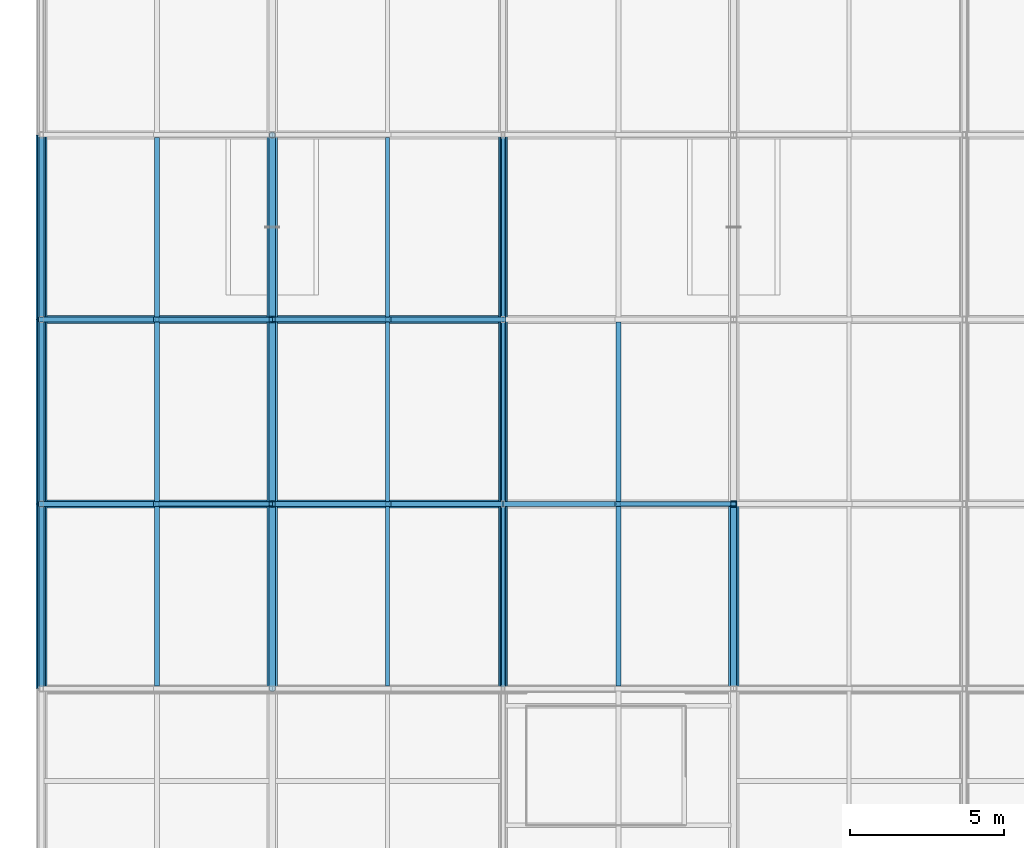
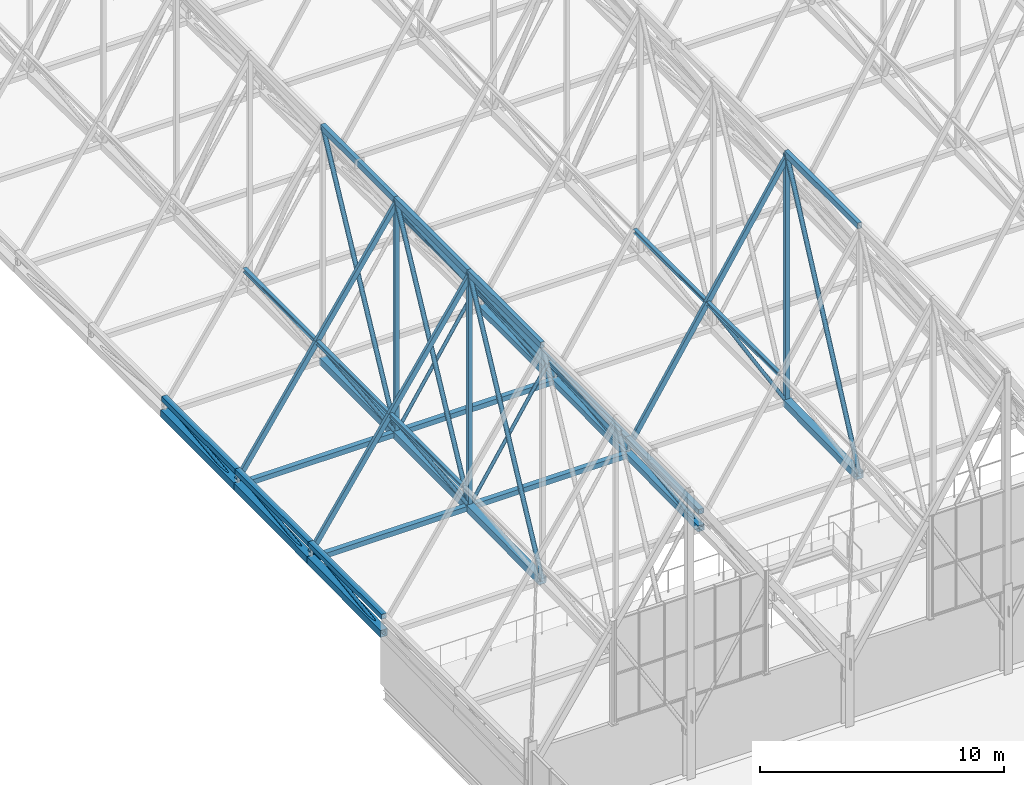
# One storey, part 91 of 324: 50 members, 8 beams.
"""IFC4 building model written with IfcOpenShell, lengths in metres."""

import ifcopenshell
import ifcopenshell.guid

model = None  # the IFC model being written
_history = None  # IfcOwnerHistory: only IFC2X3 demands one
_inside = {}  # id of a spatial element -> (the spatial element, [elements in it])
_under = {}  # id of a project, library or spatial element -> (it, [spatial elements below it])
_declared = {}  # id of a project -> (the project, [libraries it declares])
_typed = {}  # id of a type object -> (the type object, [elements of that type])
_made_of = {}  # id of a material, layer set ... -> (it, [elements and type objects made of it])


def new_model(schema):
    """Start an empty IFC model of exactly this schema.

    Asked for "IFC4X3", IfcOpenShell would pick the latest addendum, in which some entities
    have other attributes; the version numbers below select the first issue.
    IFC2X3 requires an IfcOwnerHistory on every rooted entity: one is made here for all.
    """
    global model, _history
    if schema == "IFC4X3":
        model = ifcopenshell.file(schema_version=(4, 3, 0, 0))
    else:
        model = ifcopenshell.file(schema=schema)
    _inside.clear()
    _under.clear()
    _declared.clear()
    _typed.clear()
    _made_of.clear()
    _history = None
    if model.schema == "IFC2X3":
        org = make("IfcOrganization", Name="unknown")
        user = make(
            "IfcPersonAndOrganization",
            ThePerson=make("IfcPerson", FamilyName="unknown"),
            TheOrganization=org,
        )
        app = make(
            "IfcApplication",
            ApplicationDeveloper=org,
            Version="unknown",
            ApplicationFullName="unknown",
            ApplicationIdentifier="unknown",
        )
        _history = make(
            "IfcOwnerHistory",
            OwningUser=user,
            OwningApplication=app,
            ChangeAction="ADDED",
            CreationDate=0,
        )
    return model


def make(cls, **values):
    """One entity of the class cls with the attributes given. An attribute that is None is left unset."""
    return model.create_entity(
        cls, **{name: value for name, value in values.items() if value is not None}
    )


def rooted(cls, **values):
    """An entity with a GlobalId (a new one), such as an element, a storey or a relation."""
    return make(cls, GlobalId=ifcopenshell.guid.new(), OwnerHistory=_history, **values)


def si_unit(unit_type, name, prefix=None):
    """IfcSIUnit, for example si_unit("LENGTHUNIT", "METRE", prefix="MILLI")."""
    return make("IfcSIUnit", UnitType=unit_type, Prefix=prefix, Name=name)


def assignment(units):
    """IfcUnitAssignment: the units of a project."""
    return None if units is None else make("IfcUnitAssignment", Units=units)


def point(xyz):
    """IfcCartesianPoint."""
    return None if xyz is None else make("IfcCartesianPoint", Coordinates=xyz)


def direction(xyz):
    """IfcDirection."""
    return None if xyz is None else make("IfcDirection", DirectionRatios=xyz)


def frame(location, z_axis=None, x_axis=None):
    """IfcAxis2Placement3D, a coordinate frame: its origin and axes. An axis left out is left unset."""
    return make(
        "IfcAxis2Placement3D",
        Location=point(location),
        Axis=direction(z_axis),
        RefDirection=direction(x_axis),
    )


def frame_2d(location, x_axis=None):
    """IfcAxis2Placement2D, a coordinate frame in the plane: its origin and x axis."""
    return make(
        "IfcAxis2Placement2D", Location=point(location), RefDirection=direction(x_axis)
    )


def origin():
    """The frame at (0, 0, 0) with its axes left unset."""
    return frame((0.0, 0.0, 0.0))


def origin_2d():
    """The frame at (0, 0) in the plane with its x axis left unset."""
    return frame_2d((0.0, 0.0))


def place(relative_to, where):
    """IfcLocalPlacement: puts the frame where relative to a parent placement (None: the world)."""
    return make(
        "IfcLocalPlacement", PlacementRelTo=relative_to, RelativePlacement=where
    )


def context(
    kind, dimensions, precision=None, world=None, true_north=None, identifier=None
):
    """IfcGeometricRepresentationContext, for example the 3D "Model" context."""
    return make(
        "IfcGeometricRepresentationContext",
        ContextIdentifier=identifier,
        ContextType=kind,
        CoordinateSpaceDimension=dimensions,
        Precision=precision,
        WorldCoordinateSystem=world,
        TrueNorth=true_north,
    )


def subcontext(parent, identifier, kind, view, scale=None):
    """IfcGeometricRepresentationSubContext, for example "Body" below "Model"."""
    return make(
        "IfcGeometricRepresentationSubContext",
        ContextIdentifier=identifier,
        ContextType=kind,
        ParentContext=parent,
        TargetScale=scale,
        TargetView=view,
    )


def project(units=None, contexts=None):
    """IfcProject with its units and contexts."""
    return rooted(
        "IfcProject",
        Name="project",
        RepresentationContexts=contexts,
        UnitsInContext=assignment(units),
    )


def spatial(cls, under=None, at=None, **own):
    """A site, building, storey or space (cls), placed at a placement, below another one or the project."""
    s = rooted(cls, ObjectPlacement=at, **own)
    if under is not None:
        _under.setdefault(under.id(), (under, []))[1].append(s)
    return s


def profile(cls, at=None, kind="AREA", **sizes):
    """A parametric profile (cls). Its sizes go by their IFC names, for example OverallWidth=200.0."""
    return make(cls, ProfileType=kind, Position=at, **sizes)


def hollow_rectangle(**sizes):
    """IfcRectangleHollowProfileDef."""
    return profile("IfcRectangleHollowProfileDef", **sizes)


def hollow_circle(**sizes):
    """IfcCircleHollowProfileDef."""
    return profile("IfcCircleHollowProfileDef", **sizes)


def i_section(**sizes):
    """IfcIShapeProfileDef."""
    return profile("IfcIShapeProfileDef", **sizes)


def extrude(swept, where, along, depth):
    """IfcExtrudedAreaSolid: the profile swept, set in the frame where, extruded along a direction by depth."""
    return make(
        "IfcExtrudedAreaSolid",
        SweptArea=swept,
        Position=where,
        ExtrudedDirection=direction(along),
        Depth=depth,
    )


def shape(context_of_items, identifier, shape_type, items):
    """IfcShapeRepresentation: the items that make up one representation, for example the "Body"."""
    return make(
        "IfcShapeRepresentation",
        ContextOfItems=context_of_items,
        RepresentationIdentifier=identifier,
        RepresentationType=shape_type,
        Items=items,
    )


def material(Name=None, Category=None):
    """IfcMaterial."""
    return make("IfcMaterial", Name=Name, Category=Category)


def material_profile(
    of_material, cross_section, Name=None, Category=None, Priority=None
):
    """IfcMaterialProfile: a cross section and its material."""
    return make(
        "IfcMaterialProfile",
        Name=Name,
        Material=of_material,
        Profile=cross_section,
        Priority=Priority,
        Category=Category,
    )


def profile_set(profiles, Name=None, composite=None):
    """IfcMaterialProfileSet."""
    return make(
        "IfcMaterialProfileSet",
        Name=Name,
        MaterialProfiles=profiles,
        CompositeProfile=composite,
    )


def made_of(thing, what):
    """Note that an element or type object is made of a material, layer set ...; save() writes the relation."""
    if what is not None:
        _made_of.setdefault(what.id(), (what, []))[1].append(thing)
    return thing


def type_object(cls, material=None, **own):
    """A type object (cls), such as IfcWallType, which elements share."""
    return made_of(rooted(cls, **own), material)


def element(
    cls,
    number,
    at=None,
    inside=None,
    cuts=None,
    type_object=None,
    material=None,
    context=None,
    identifier="Body",
    shape_type=None,
    held_by="IfcProductDefinitionShape",
    body=None,
    shapes=None,
    **own,
):
    """One element of the class cls, such as IfcWall. Its Tag is "e" and its number.

    at: its placement. inside: the storey or other place that contains it. cuts: it is an
    opening in that element (IfcRelVoidsElement). A single representation is given by context,
    identifier, shape_type and body (its items); several are given by shapes. held_by: the class
    of the entity that holds the representations. save() writes the other relations.
    """
    e = rooted(cls, Tag="e%d" % number, ObjectPlacement=at, **own)
    if body is not None:
        shapes = [shape(context, identifier, shape_type, body)]
    if shapes is not None:
        e.Representation = make(held_by, Representations=shapes)
    if inside is not None:
        _inside.setdefault(inside.id(), (inside, []))[1].append(e)
    if cuts is not None:
        rooted(
            "IfcRelVoidsElement", RelatingBuildingElement=cuts, RelatedOpeningElement=e
        )
    if type_object is not None:
        _typed.setdefault(type_object.id(), (type_object, []))[1].append(e)
    return made_of(e, material)


def aggregate(whole, parts):
    """IfcRelAggregates: a whole, such as a stair, and the parts it consists of."""
    return rooted("IfcRelAggregates", RelatingObject=whole, RelatedObjects=parts)


def save(model, path):
    """Write the relations noted so far, then the file.

    IfcRelAggregates (storeys below a building ...), IfcRelContainedInSpatialStructure (elements
    in a storey), IfcRelDefinesByType, IfcRelAssociatesMaterial and IfcRelDeclares: one each for
    every whole, place, type object, material and project.
    """
    for whole, parts in _under.values():
        aggregate(whole, parts)
    for where, things in _inside.values():
        rooted(
            "IfcRelContainedInSpatialStructure",
            RelatedElements=things,
            RelatingStructure=where,
        )
    for kind, things in _typed.values():
        rooted("IfcRelDefinesByType", RelatedObjects=things, RelatingType=kind)
    for what, things in _made_of.values():
        rooted("IfcRelAssociatesMaterial", RelatedObjects=things, RelatingMaterial=what)
    for by, libraries in _declared.values():
        rooted("IfcRelDeclares", RelatingContext=by, RelatedDefinitions=libraries)
    model.write(path)


model = new_model("IFC4")

# Units and contexts
model_context = context("Model", 3, precision=1e-05, world=origin(), true_north=direction((0.0, 1.0)))
body_context = subcontext(model_context, "Body", "Model", "MODEL_VIEW")
ifc_project = project(units=[si_unit("LENGTHUNIT", "METRE"), si_unit("AREAUNIT", "SQUARE_METRE"), si_unit("VOLUMEUNIT", "CUBIC_METRE"), si_unit("PLANEANGLEUNIT", "RADIAN"), si_unit("MASSUNIT", "GRAM", prefix="KILO")], contexts=[model_context])

# Site, building, storey
site_placement = place(None, origin())
site = spatial("IfcSite", under=ifc_project, at=site_placement, CompositionType="ELEMENT")
building_placement = place(site_placement, origin())
building = spatial("IfcBuilding", under=site, at=building_placement, Name="Solvenia Promenade Tram Depot", CompositionType="ELEMENT")
storey_placement = place(building_placement, frame((0.0, 0.0, 4.5)))
storey = spatial("IfcBuildingStorey", under=building, at=storey_placement, Name="L01", CompositionType="ELEMENT", Elevation=4.5)

# Members
ifc_material_1 = material(Name="Structural steel ASTM A500 Gr. C", Category="steel")
ifc_material_profile_1 = material_profile(ifc_material_1, hollow_circle(Radius=0.109619140625, WallThickness=0.008056640625, at=origin_2d()), Name="CHS219.1x8", Category="steel")
ifc_profile_set_1 = profile_set([ifc_material_profile_1], Name="Structural steel ASTM A500 Gr. C")
member_type_1 = type_object("IfcMemberType", Name="Brace-CHS219x8", PredefinedType="BRACE", material=ifc_profile_set_1)
member_1_placement = place(storey_placement, frame((7.5, 78.0, 2.5439453125), z_axis=(0.0, 0.453827022194, 0.891089801269), x_axis=(-1.0, 0.0, 0.0)))
element("IfcMember", 1, at=member_1_placement, inside=storey, type_object=member_type_1, Name="Arched Truss T02 Web Diagonal S03", PredefinedType="BRACE", context=body_context, shape_type="SweptSolid", body=[
    extrude(hollow_circle(Radius=0.109619140625, WallThickness=0.008056640625, at=origin_2d()), origin(), (0.0, 0.0, 1.0), 13.220947265625),
])
member_2_placement = place(storey_placement, frame((7.5, 84.0, 2.614013671875), z_axis=(0.0, 0.455979110713, 0.889990477811), x_axis=(-1.0, 0.0, 0.0)))
element("IfcMember", 2, at=member_2_placement, inside=storey, type_object=member_type_1, Name="Arched Truss T02 Web Diagonal S04", PredefinedType="BRACE", context=body_context, shape_type="SweptSolid", body=[
    extrude(hollow_circle(Radius=0.109619140625, WallThickness=0.008056640625, at=origin_2d()), origin(), (0.0, 0.0, 1.0), 13.158447265625),
])
member_3_placement = place(storey_placement, frame((7.5, 90.0, 2.656005859375), z_axis=(0.0, 0.457277380329, 0.88932412395), x_axis=(-1.0, 0.0, 0.0)))
element("IfcMember", 3, at=member_3_placement, inside=storey, type_object=member_type_1, Name="Arched Truss T02 Web Diagonal S05", PredefinedType="BRACE", context=body_context, shape_type="SweptSolid", body=[
    extrude(hollow_circle(Radius=0.109619140625, WallThickness=0.008056640625, at=origin_2d()), origin(), (0.0, 0.0, 1.0), 13.12109375),
])
member_4_placement = place(storey_placement, frame((22.5, 78.0, 2.5439453125), z_axis=(0.0, 0.432840998382, 0.901470282438), x_axis=(-1.0, 0.0, 0.0)))
element("IfcMember", 4, at=member_4_placement, inside=storey, type_object=member_type_1, Name="Arched Truss T04 Web Diagonal S03", PredefinedType="BRACE", context=body_context, shape_type="SweptSolid", body=[
    extrude(hollow_circle(Radius=0.109619140625, WallThickness=0.008056640625, at=origin_2d()), origin(), (0.0, 0.0, 1.0), 13.86181640625),
])
ifc_material_profile_2 = material_profile(ifc_material_1, hollow_rectangle(XDim=0.14990234375, YDim=0.25, WallThickness=0.010009765625, at=origin_2d()), Name="HSS250x150x10", Category="steel")
ifc_profile_set_2 = profile_set([ifc_material_profile_2], Name="Structural steel ASTM A500 Gr. C")
member_type_2 = type_object("IfcMemberType", Name="Chord-HSS250x150x10", PredefinedType="CHORD", material=ifc_profile_set_2)
for number, where, z_axis, x_axis, name in (
    (5, (0.0, 84.0, 2.95703125), (0.557276274528, 0.0, 0.830327136644), (0.0, 1.0, 0.0), "Zigzag Gable 01 West Lower Rafter"),
    (6, (3.75, 84.0, 8.54443359375), (0.557259486914, 0.0, 0.83033840345), (0.0, 1.0, 0.0), "Zigzag Gable 01 West Upper Rafter"),
    (7, (7.5, 84.0, 14.132080078125), (0.557259486914, 0.0, -0.83033840345), (0.0, 1.0, 0.0), "Zigzag Gable 01 East Upper Rafter"),
    (8, (11.25, 84.0, 8.54443359375), (0.557276274528, 0.0, -0.830327136644), (0.0, 1.0, 0.0), "Zigzag Gable 01 East Lower Rafter"),
    (9, (0.0, 90.0, 2.95703125), (0.557276274528, 0.0, 0.830327136644), (0.0, 1.0, 0.0), "Zigzag Gable 01 West Lower Rafter"),
    (10, (3.75, 90.0, 8.54443359375), (0.557259486914, 0.0, 0.83033840345), (0.0, 1.0, 0.0), "Zigzag Gable 01 West Upper Rafter"),
    (11, (7.5, 90.0, 14.132080078125), (0.557259486914, 0.0, -0.83033840345), (0.0, 1.0, 0.0), "Zigzag Gable 01 East Upper Rafter"),
    (12, (11.25, 90.0, 8.54443359375), (0.557276274528, 0.0, -0.830327136644), (0.0, 1.0, 0.0), "Zigzag Gable 01 East Lower Rafter"),
):
    element("IfcMember", number, at=place(storey_placement, frame(where, z_axis=z_axis, x_axis=x_axis)), inside=storey, type_object=member_type_2, Name=name, PredefinedType="CHORD", context=body_context, shape_type="SweptSolid", body=[
        extrude(hollow_rectangle(XDim=0.14990234375, YDim=0.25, WallThickness=0.010009765625, at=origin_2d()), origin(), (0.0, 0.0, 1.0), 6.729248046875),
    ])
member_5_placement = place(storey_placement, frame((15.0, 84.0, 2.942626953125), z_axis=(0.533506771487, 0.0, 0.845795793781), x_axis=(0.0, 1.0, 0.0)))
element("IfcMember", 13, at=member_5_placement, inside=storey, type_object=member_type_2, Name="Zigzag Gable 02 West Lower Rafter", PredefinedType="CHORD", context=body_context, shape_type="SweptSolid", body=[
    extrude(hollow_rectangle(XDim=0.14990234375, YDim=0.25, WallThickness=0.010009765625, at=origin_2d()), origin(), (0.0, 0.0, 1.0), 7.029052734375),
])
member_6_placement = place(storey_placement, frame((18.75, 84.0, 8.8876953125), z_axis=(0.533522444929, 0.0, 0.845785907164), x_axis=(0.0, 1.0, 0.0)))
element("IfcMember", 14, at=member_6_placement, inside=storey, type_object=member_type_2, Name="Zigzag Gable 02 West Upper Rafter", PredefinedType="CHORD", context=body_context, shape_type="SweptSolid", body=[
    extrude(hollow_rectangle(XDim=0.14990234375, YDim=0.25, WallThickness=0.010009765625, at=origin_2d()), origin(), (0.0, 0.0, 1.0), 7.02880859375),
])
ifc_material_profile_3 = material_profile(ifc_material_1, hollow_rectangle(XDim=0.25, YDim=0.25, WallThickness=0.010009765625, at=origin_2d()), Name="HSS250x250x10", Category="steel")
ifc_profile_set_3 = profile_set([ifc_material_profile_3], Name="Structural steel ASTM A500 Gr. C")
member_type_3 = type_object("IfcMemberType", Name="Chord-HSS250x250x10", PredefinedType="CHORD", material=ifc_profile_set_3)
for number, where, z_axis, x_axis, name in (
    (15, (0.0, 78.0, 3.3798828125), (0.0, 1.0, 0.0), (-1.0, 0.0, 0.0), "Arched Truss T01 Upper Chord S03"),
    (16, (0.0, 84.0, 3.3798828125), (0.0, 1.0, 0.0), (-1.0, 0.0, 0.0), "Arched Truss T01 Upper Chord S04"),
    (17, (0.0, 90.0, 3.3798828125), (0.0, 1.0, 0.0), (-1.0, 0.0, 0.0), "Arched Truss T01 Upper Chord S05"),
    (18, (15.0, 78.0, 3.3798828125), (0.0, 1.0, 0.0), (-1.0, 0.0, 0.0), "Arched Truss T03 Upper Chord S03"),
    (19, (15.0, 84.0, 3.3798828125), (0.0, 1.0, 0.0), (-1.0, 0.0, 0.0), "Arched Truss T03 Upper Chord S04"),
    (20, (15.0, 90.0, 3.3798828125), (0.0, 1.0, 0.0), (-1.0, 0.0, 0.0), "Arched Truss T03 Upper Chord S05"),
):
    element("IfcMember", number, at=place(storey_placement, frame(where, z_axis=z_axis, x_axis=x_axis)), inside=storey, type_object=member_type_3, Name=name, PredefinedType="CHORD", context=body_context, shape_type="SweptSolid", body=[
        extrude(hollow_rectangle(XDim=0.25, YDim=0.25, WallThickness=0.010009765625, at=origin_2d()), origin(), (0.0, 0.0, 1.0), 6.0),
    ])
for number, where, z_axis, x_axis, name in (
    (21, (0.0, 84.0, 2.614013671875), (1.0, 0.0, 0.0), (0.0, 1.0, 0.0), "Bottom-Chord Catenary Lateral Tie 003"),
    (22, (0.0, 90.0, 2.656005859375), (1.0, 0.0, 0.0), (0.0, 1.0, 0.0), "Bottom-Chord Catenary Lateral Tie 004"),
):
    element("IfcMember", number, at=place(storey_placement, frame(where, z_axis=z_axis, x_axis=x_axis)), inside=storey, type_object=member_type_3, Name=name, PredefinedType="CHORD", context=body_context, shape_type="SweptSolid", body=[
        extrude(hollow_rectangle(XDim=0.25, YDim=0.25, WallThickness=0.010009765625, at=origin_2d()), origin(), (0.0, 0.0, 1.0), 15.0),
    ])
ifc_material_profile_4 = material_profile(ifc_material_1, hollow_rectangle(XDim=0.199951171875, YDim=0.300048828125, WallThickness=0.012451171875, at=origin_2d()), Name="HSS300x200x12.5", Category="steel")
ifc_profile_set_4 = profile_set([ifc_material_profile_4], Name="Structural steel ASTM A500 Gr. C")
member_type_4 = type_object("IfcMemberType", Name="Chord-HSS300x200x12", PredefinedType="CHORD", material=ifc_profile_set_4)
for number, where, z_axis, x_axis, name in (
    (23, (7.5, 78.0, 14.324951171875), (0.0, 1.0, 0.0), (-1.0, 0.0, 0.0), "Arched Truss T02 Upper Chord S03"),
    (24, (7.5, 84.0, 14.324951171875), (0.0, 1.0, 0.0), (-1.0, 0.0, 0.0), "Arched Truss T02 Upper Chord S04"),
    (25, (7.5, 90.0, 14.324951171875), (0.0, 1.0, 0.0), (-1.0, 0.0, 0.0), "Arched Truss T02 Upper Chord S05"),
    (26, (22.5, 78.0, 15.0400390625), (0.0, 1.0, 0.0), (-1.0, 0.0, 0.0), "Arched Truss T04 Upper Chord S03"),
):
    element("IfcMember", number, at=place(storey_placement, frame(where, z_axis=z_axis, x_axis=x_axis)), inside=storey, type_object=member_type_4, Name=name, PredefinedType="CHORD", context=body_context, shape_type="SweptSolid", body=[
        extrude(hollow_rectangle(XDim=0.199951171875, YDim=0.300048828125, WallThickness=0.012451171875, at=origin_2d()), origin(), (0.0, 0.0, 1.0), 6.0),
    ])
ifc_material_profile_5 = material_profile(ifc_material_1, hollow_rectangle(XDim=0.300048828125, YDim=0.300048828125, WallThickness=0.012451171875, at=origin_2d()), Name="HSS300x300x12.5", Category="steel")
ifc_profile_set_5 = profile_set([ifc_material_profile_5], Name="Structural steel ASTM A500 Gr. C")
member_type_5 = type_object("IfcMemberType", Name="Chord-HSS300x300x12", PredefinedType="CHORD", material=ifc_profile_set_5)
member_7_placement = place(storey_placement, frame((15.0, 78.0, 2.5439453125), z_axis=(0.0, 0.999931818432, 0.011677263667), x_axis=(-1.0, 0.0, 0.0)))
element("IfcMember", 27, at=member_7_placement, inside=storey, type_object=member_type_5, Name="Arched Truss T03 Bottom Chord S03", PredefinedType="CHORD", context=body_context, shape_type="SweptSolid", body=[
    extrude(hollow_rectangle(XDim=0.300048828125, YDim=0.300048828125, WallThickness=0.012451171875, at=origin_2d()), origin(), (0.0, 0.0, 1.0), 6.00048828125),
])
member_8_placement = place(storey_placement, frame((15.0, 84.0, 2.614013671875), z_axis=(0.0, 0.999975510013, 0.006998526519), x_axis=(-1.0, 0.0, 0.0)))
element("IfcMember", 28, at=member_8_placement, inside=storey, type_object=member_type_5, Name="Arched Truss T03 Bottom Chord S04", PredefinedType="CHORD", context=body_context, shape_type="SweptSolid", body=[
    extrude(hollow_rectangle(XDim=0.300048828125, YDim=0.300048828125, WallThickness=0.012451171875, at=origin_2d()), origin(), (0.0, 0.0, 1.0), 6.000244140625),
])
member_9_placement = place(storey_placement, frame((15.0, 90.0, 2.656005859375), z_axis=(0.0, 0.999997310351, 0.002319329699), x_axis=(-1.0, 0.0, 0.0)))
element("IfcMember", 29, at=member_9_placement, inside=storey, type_object=member_type_5, Name="Arched Truss T03 Bottom Chord S05", PredefinedType="CHORD", context=body_context, shape_type="SweptSolid", body=[
    extrude(hollow_rectangle(XDim=0.300048828125, YDim=0.300048828125, WallThickness=0.012451171875, at=origin_2d()), origin(), (0.0, 0.0, 1.0), 6.0),
])
ifc_material_profile_6 = material_profile(ifc_material_1, hollow_rectangle(XDim=0.35009765625, YDim=0.35009765625, WallThickness=0.01611328125, at=origin_2d()), Name="HSS350x350x16", Category="steel")
ifc_profile_set_6 = profile_set([ifc_material_profile_6], Name="Structural steel ASTM A500 Gr. C")
member_type_6 = type_object("IfcMemberType", Name="Chord-HSS350x350x16", PredefinedType="CHORD", material=ifc_profile_set_6)
member_10_placement = place(storey_placement, frame((0.0, 78.0, 2.5439453125), z_axis=(0.0, 0.999931818432, 0.011677263667), x_axis=(-1.0, 0.0, 0.0)))
element("IfcMember", 30, at=member_10_placement, inside=storey, type_object=member_type_6, Name="Arched Truss T01 Bottom Chord S03", PredefinedType="CHORD", context=body_context, shape_type="SweptSolid", body=[
    extrude(hollow_rectangle(XDim=0.35009765625, YDim=0.35009765625, WallThickness=0.01611328125, at=origin_2d()), origin(), (0.0, 0.0, 1.0), 6.00048828125),
])
member_11_placement = place(storey_placement, frame((0.0, 84.0, 2.614013671875), z_axis=(0.0, 0.999975510013, 0.006998526519), x_axis=(-1.0, 0.0, 0.0)))
element("IfcMember", 31, at=member_11_placement, inside=storey, type_object=member_type_6, Name="Arched Truss T01 Bottom Chord S04", PredefinedType="CHORD", context=body_context, shape_type="SweptSolid", body=[
    extrude(hollow_rectangle(XDim=0.35009765625, YDim=0.35009765625, WallThickness=0.01611328125, at=origin_2d()), origin(), (0.0, 0.0, 1.0), 6.000244140625),
])
member_12_placement = place(storey_placement, frame((0.0, 90.0, 2.656005859375), z_axis=(0.0, 0.999997310351, 0.002319329699), x_axis=(-1.0, 0.0, 0.0)))
element("IfcMember", 32, at=member_12_placement, inside=storey, type_object=member_type_6, Name="Arched Truss T01 Bottom Chord S05", PredefinedType="CHORD", context=body_context, shape_type="SweptSolid", body=[
    extrude(hollow_rectangle(XDim=0.35009765625, YDim=0.35009765625, WallThickness=0.01611328125, at=origin_2d()), origin(), (0.0, 0.0, 1.0), 6.0),
])
member_13_placement = place(storey_placement, frame((7.5, 78.0, 2.5439453125), z_axis=(0.0, 0.999931818432, 0.011677263667), x_axis=(-1.0, 0.0, 0.0)))
element("IfcMember", 33, at=member_13_placement, inside=storey, type_object=member_type_6, Name="Arched Truss T02 Bottom Chord S03", PredefinedType="CHORD", context=body_context, shape_type="SweptSolid", body=[
    extrude(hollow_rectangle(XDim=0.35009765625, YDim=0.35009765625, WallThickness=0.01611328125, at=origin_2d()), origin(), (0.0, 0.0, 1.0), 6.00048828125),
])
member_14_placement = place(storey_placement, frame((7.5, 84.0, 2.614013671875), z_axis=(0.0, 0.999975510013, 0.006998526519), x_axis=(-1.0, 0.0, 0.0)))
element("IfcMember", 34, at=member_14_placement, inside=storey, type_object=member_type_6, Name="Arched Truss T02 Bottom Chord S04", PredefinedType="CHORD", context=body_context, shape_type="SweptSolid", body=[
    extrude(hollow_rectangle(XDim=0.35009765625, YDim=0.35009765625, WallThickness=0.01611328125, at=origin_2d()), origin(), (0.0, 0.0, 1.0), 6.000244140625),
])
member_15_placement = place(storey_placement, frame((7.5, 90.0, 2.656005859375), z_axis=(0.0, 0.999997310351, 0.002319329699), x_axis=(-1.0, 0.0, 0.0)))
element("IfcMember", 35, at=member_15_placement, inside=storey, type_object=member_type_6, Name="Arched Truss T02 Bottom Chord S05", PredefinedType="CHORD", context=body_context, shape_type="SweptSolid", body=[
    extrude(hollow_rectangle(XDim=0.35009765625, YDim=0.35009765625, WallThickness=0.01611328125, at=origin_2d()), origin(), (0.0, 0.0, 1.0), 6.0),
])
member_16_placement = place(storey_placement, frame((22.5, 78.0, 2.5439453125), z_axis=(0.0, 0.999931818432, 0.011677263667), x_axis=(-1.0, 0.0, 0.0)))
element("IfcMember", 36, at=member_16_placement, inside=storey, type_object=member_type_6, Name="Arched Truss T04 Bottom Chord S03", PredefinedType="CHORD", context=body_context, shape_type="SweptSolid", body=[
    extrude(hollow_rectangle(XDim=0.35009765625, YDim=0.35009765625, WallThickness=0.01611328125, at=origin_2d()), origin(), (0.0, 0.0, 1.0), 6.00048828125),
])
ifc_material_profile_7 = material_profile(ifc_material_1, hollow_rectangle(XDim=0.199951171875, YDim=0.199951171875, WallThickness=0.010009765625, at=origin_2d()), Name="HSS200x200x10", Category="steel")
ifc_profile_set_7 = profile_set([ifc_material_profile_7], Name="Structural steel ASTM A500 Gr. C")
member_type_7 = type_object("IfcMemberType", Name="Post-HSS200x200x10", PredefinedType="POST", material=ifc_profile_set_7)
member_17_placement = place(storey_placement, frame((7.5, 84.0, 2.614013671875), z_axis=(0.0, 0.0, 1.0), x_axis=(1.0, 0.0, 0.0)))
element("IfcMember", 37, at=member_17_placement, inside=storey, type_object=member_type_7, Name="Arched Truss T02 Web Post S03", PredefinedType="POST", context=body_context, shape_type="SweptSolid", body=[
    extrude(hollow_rectangle(XDim=0.199951171875, YDim=0.199951171875, WallThickness=0.010009765625, at=origin_2d()), origin(), (0.0, 0.0, 1.0), 11.7109375),
])
member_18_placement = place(storey_placement, frame((7.5, 90.0, 2.656005859375), z_axis=(0.0, 0.0, 1.0), x_axis=(1.0, 0.0, 0.0)))
element("IfcMember", 38, at=member_18_placement, inside=storey, type_object=member_type_7, Name="Arched Truss T02 Web Post S04", PredefinedType="POST", context=body_context, shape_type="SweptSolid", body=[
    extrude(hollow_rectangle(XDim=0.199951171875, YDim=0.199951171875, WallThickness=0.010009765625, at=origin_2d()), origin(), (0.0, 0.0, 1.0), 11.6689453125),
])
member_19_placement = place(storey_placement, frame((22.5, 84.0, 2.614013671875), z_axis=(0.0, 0.0, 1.0), x_axis=(1.0, 0.0, 0.0)))
element("IfcMember", 39, at=member_19_placement, inside=storey, type_object=member_type_7, Name="Arched Truss T04 Web Post S03", PredefinedType="POST", context=body_context, shape_type="SweptSolid", body=[
    extrude(hollow_rectangle(XDim=0.199951171875, YDim=0.199951171875, WallThickness=0.010009765625, at=origin_2d()), origin(), (0.0, 0.0, 1.0), 12.426025390625),
])

# Beams
ifc_material_2 = material(Name="Structural steel ASTM A992 Gr. 50", Category="steel")
ifc_material_profile_8 = material_profile(ifc_material_2, i_section(OverallWidth=0.133056640625, OverallDepth=0.20703125, WebThickness=0.005859375, FlangeThickness=0.00830078125, FilletRadius=0.009033203125, at=origin_2d()), Name="W200x27", Category="steel")
ifc_profile_set_8 = profile_set([ifc_material_profile_8], Name="Structural steel ASTM A992 Gr. 50")
beam_type_1 = type_object("IfcBeamType", Name="Purlin-W200x27", PredefinedType="USERDEFINED", material=ifc_profile_set_8)
for number, where, z_axis, x_axis, name in (
    (40, (11.25, 78.0849609375, 8.551025390625), (0.0, 1.0, 0.0), (-1.0, 0.0, 0.0), "Gable Roof Purlin E-0006"),
    (41, (11.25, 84.0849609375, 8.551025390625), (0.0, 1.0, 0.0), (-1.0, 0.0, 0.0), "Gable Roof Purlin E-0008"),
    (42, (11.25, 90.0849609375, 8.551025390625), (0.0, 1.0, 0.0), (-1.0, 0.0, 0.0), "Gable Roof Purlin E-0010"),
):
    element("IfcBeam", number, at=place(storey_placement, frame(where, z_axis=z_axis, x_axis=x_axis)), inside=storey, type_object=beam_type_1, Name=name, ObjectType="PURLIN", PredefinedType="USERDEFINED", context=body_context, shape_type="SweptSolid", body=[
        extrude(i_section(OverallWidth=0.133056640625, OverallDepth=0.20703125, WebThickness=0.005859375, FlangeThickness=0.00830078125, FilletRadius=0.009033203125, at=origin_2d()), origin(), (0.0, 0.0, 1.0), 5.830078125),
    ])
ifc_material_profile_9 = material_profile(ifc_material_2, i_section(OverallWidth=0.1650390625, OverallDepth=0.200927734375, WebThickness=0.006103515625, FlangeThickness=0.01025390625, FilletRadius=0.010009765625, at=origin_2d()), Name="W200x36", Category="steel")
ifc_profile_set_9 = profile_set([ifc_material_profile_9], Name="Structural steel ASTM A992 Gr. 50")
beam_type_2 = type_object("IfcBeamType", Name="Purlin-W200x36", PredefinedType="USERDEFINED", material=ifc_profile_set_9)
for number, where, z_axis, x_axis, name in (
    (43, (3.75, 78.0849609375, 8.551025390625), (0.0, 1.0, 0.0), (-1.0, 0.0, 0.0), "Gable Roof Purlin W-0005"),
    (44, (3.75, 84.0849609375, 8.551025390625), (0.0, 1.0, 0.0), (-1.0, 0.0, 0.0), "Gable Roof Purlin W-0007"),
    (45, (3.75, 90.0849609375, 8.551025390625), (0.0, 1.0, 0.0), (-1.0, 0.0, 0.0), "Gable Roof Purlin W-0009"),
    (46, (18.75, 78.0849609375, 8.8857421875), (0.0, 1.0, 0.0), (-1.0, 0.0, 0.0), "Gable Roof Purlin W-0025"),
    (47, (18.75, 84.0849609375, 8.8857421875), (0.0, 1.0, 0.0), (-1.0, 0.0, 0.0), "Gable Roof Purlin W-0027"),
):
    element("IfcBeam", number, at=place(storey_placement, frame(where, z_axis=z_axis, x_axis=x_axis)), inside=storey, type_object=beam_type_2, Name=name, ObjectType="PURLIN", PredefinedType="USERDEFINED", context=body_context, shape_type="SweptSolid", body=[
        extrude(i_section(OverallWidth=0.1650390625, OverallDepth=0.200927734375, WebThickness=0.006103515625, FlangeThickness=0.01025390625, FilletRadius=0.010009765625, at=origin_2d()), origin(), (0.0, 0.0, 1.0), 5.830078125),
    ])

# Members
ifc_material_profile_10 = material_profile(ifc_material_1, hollow_circle(Radius=0.084228515625, WallThickness=0.008056640625, at=origin_2d()), Name="CHS168.3x8", Category="steel")
ifc_profile_set_10 = profile_set([ifc_material_profile_10], Name="Structural steel ASTM A500 Gr. C")
member_type_8 = type_object("IfcMemberType", Name="WebDiag-CHS168x8", PredefinedType="BRACE", material=ifc_profile_set_10)
member_20_placement = place(storey_placement, frame((0.0, 78.0, 2.5439453125), z_axis=(0.0, 0.990433608353, 0.13799009908), x_axis=(-1.0, 0.0, 0.0)))
element("IfcMember", 48, at=member_20_placement, inside=storey, type_object=member_type_8, Name="Arched Truss T01 Web Diagonal S03", PredefinedType="BRACE", context=body_context, shape_type="SweptSolid", body=[
    extrude(hollow_circle(Radius=0.084228515625, WallThickness=0.008056640625, at=origin_2d()), origin(), (0.0, 0.0, 1.0), 6.057861328125),
])
member_21_placement = place(storey_placement, frame((0.0, 84.0, 2.614013671875), z_axis=(0.0, 0.991951613347, 0.126617521609), x_axis=(-1.0, 0.0, 0.0)))
element("IfcMember", 49, at=member_21_placement, inside=storey, type_object=member_type_8, Name="Arched Truss T01 Web Diagonal S04", PredefinedType="BRACE", context=body_context, shape_type="SweptSolid", body=[
    extrude(hollow_circle(Radius=0.084228515625, WallThickness=0.008056640625, at=origin_2d()), origin(), (0.0, 0.0, 1.0), 6.048583984375),
])
member_22_placement = place(storey_placement, frame((0.0, 90.0, 2.656005859375), z_axis=(0.0, 0.992800749036, 0.119777596879), x_axis=(-1.0, 0.0, 0.0)))
element("IfcMember", 50, at=member_22_placement, inside=storey, type_object=member_type_8, Name="Arched Truss T01 Web Diagonal S05", PredefinedType="BRACE", context=body_context, shape_type="SweptSolid", body=[
    extrude(hollow_circle(Radius=0.084228515625, WallThickness=0.008056640625, at=origin_2d()), origin(), (0.0, 0.0, 1.0), 6.04345703125),
])
member_23_placement = place(storey_placement, frame((15.0, 78.0, 2.5439453125), z_axis=(0.0, 0.990433608353, 0.13799009908), x_axis=(-1.0, 0.0, 0.0)))
element("IfcMember", 51, at=member_23_placement, inside=storey, type_object=member_type_8, Name="Arched Truss T03 Web Diagonal S03", PredefinedType="BRACE", context=body_context, shape_type="SweptSolid", body=[
    extrude(hollow_circle(Radius=0.084228515625, WallThickness=0.008056640625, at=origin_2d()), origin(), (0.0, 0.0, 1.0), 6.057861328125),
])
member_24_placement = place(storey_placement, frame((15.0, 84.0, 2.614013671875), z_axis=(0.0, 0.991951613347, 0.126617521609), x_axis=(-1.0, 0.0, 0.0)))
element("IfcMember", 52, at=member_24_placement, inside=storey, type_object=member_type_8, Name="Arched Truss T03 Web Diagonal S04", PredefinedType="BRACE", context=body_context, shape_type="SweptSolid", body=[
    extrude(hollow_circle(Radius=0.084228515625, WallThickness=0.008056640625, at=origin_2d()), origin(), (0.0, 0.0, 1.0), 6.048583984375),
])
member_25_placement = place(storey_placement, frame((15.0, 90.0, 2.656005859375), z_axis=(0.0, 0.992800749036, 0.119777596879), x_axis=(-1.0, 0.0, 0.0)))
element("IfcMember", 53, at=member_25_placement, inside=storey, type_object=member_type_8, Name="Arched Truss T03 Web Diagonal S05", PredefinedType="BRACE", context=body_context, shape_type="SweptSolid", body=[
    extrude(hollow_circle(Radius=0.084228515625, WallThickness=0.008056640625, at=origin_2d()), origin(), (0.0, 0.0, 1.0), 6.04345703125),
])
for number, where, z_axis, x_axis, name in (
    (54, (7.5, 84.0, 2.614013671875), (-0.534448484902, 0.0, 0.845201051221), (0.0, -1.0, 0.0), "Zigzag Gable 01 West Knee Strut"),
    (55, (7.5, 84.0, 2.614013671875), (0.534448484902, 0.0, 0.845201051221), (0.0, 1.0, 0.0), "Zigzag Gable 01 East Knee Strut"),
):
    element("IfcMember", number, at=place(storey_placement, frame(where, z_axis=z_axis, x_axis=x_axis)), inside=storey, type_object=member_type_8, Name=name, PredefinedType="BRACE", context=body_context, shape_type="SweptSolid", body=[
        extrude(hollow_circle(Radius=0.084228515625, WallThickness=0.008056640625, at=origin_2d()), origin(), (0.0, 0.0, 1.0), 7.0166015625),
    ])
for number, where, z_axis, x_axis, name in (
    (56, (7.5, 90.0, 2.656005859375), (-0.537162844813, 0.0, 0.843478558206), (0.0, -1.0, 0.0), "Zigzag Gable 01 West Knee Strut"),
    (57, (7.5, 90.0, 2.656005859375), (0.537162844813, 0.0, 0.843478558206), (0.0, 1.0, 0.0), "Zigzag Gable 01 East Knee Strut"),
):
    element("IfcMember", number, at=place(storey_placement, frame(where, z_axis=z_axis, x_axis=x_axis)), inside=storey, type_object=member_type_8, Name=name, PredefinedType="BRACE", context=body_context, shape_type="SweptSolid", body=[
        extrude(hollow_circle(Radius=0.084228515625, WallThickness=0.008056640625, at=origin_2d()), origin(), (0.0, 0.0, 1.0), 6.981201171875),
    ])
member_26_placement = place(storey_placement, frame((22.5, 84.0, 2.614013671875), z_axis=(-0.513065601132, 0.0, 0.858349397935), x_axis=(0.0, -1.0, 0.0)))
element("IfcMember", 58, at=member_26_placement, inside=storey, type_object=member_type_8, Name="Zigzag Gable 02 West Knee Strut", PredefinedType="BRACE", context=body_context, shape_type="SweptSolid", body=[
    extrude(hollow_circle(Radius=0.084228515625, WallThickness=0.008056640625, at=origin_2d()), origin(), (0.0, 0.0, 1.0), 7.30908203125),
])

save(model, "model.ifc")
